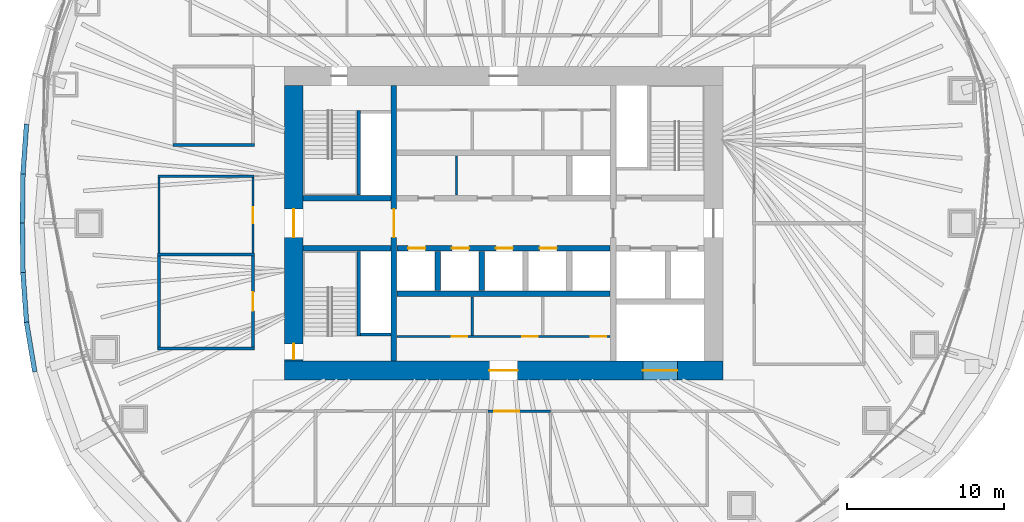
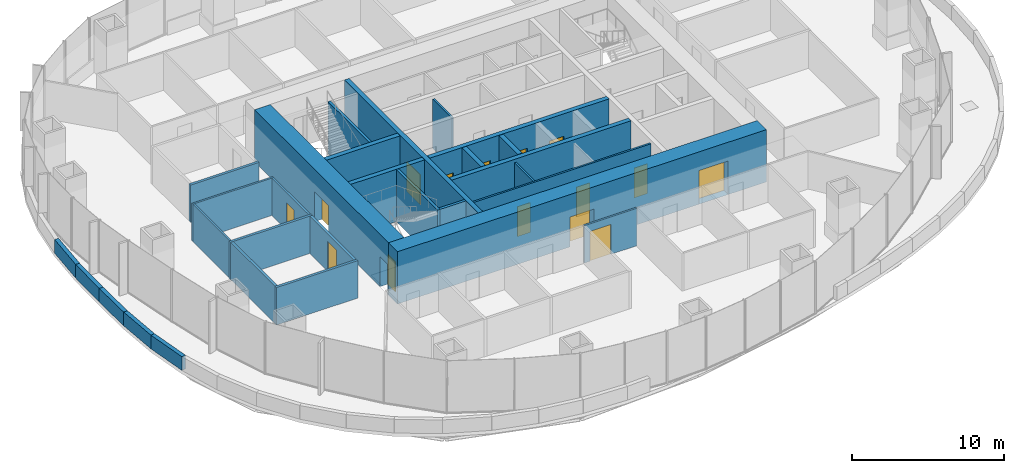
# One storey, part 9 of 20: 29 walls, 15 doors, 15 openings.
"""IFC4 building model written with IfcOpenShell, lengths in metres."""

from ifc_helpers import new_model, si_unit, direction, frame, frame_2d, origin, place, context, subcontext, project, spatial, rectangle, extrude, material, layer, layer_set, type_object, element, fill, save


model = new_model("IFC4")

# Units and contexts
model_context = context("Model", 3, precision=1e-05, world=origin(), true_north=direction((0.0, 1.0)))
body_context = subcontext(model_context, "Body", "Model", "MODEL_VIEW")
ifc_project = project(units=[si_unit("LENGTHUNIT", "METRE"), si_unit("AREAUNIT", "SQUARE_METRE"), si_unit("VOLUMEUNIT", "CUBIC_METRE"), si_unit("PLANEANGLEUNIT", "RADIAN"), si_unit("MASSUNIT", "GRAM", prefix="KILO")], contexts=[model_context])

# Site, building, storey
site_placement = place(None, origin())
site = spatial("IfcSite", under=ifc_project, at=site_placement, CompositionType="ELEMENT")
building_placement = place(site_placement, origin())
building = spatial("IfcBuilding", under=site, at=building_placement, Name="Ghaith Harvest Tower", CompositionType="ELEMENT")
storey_placement = place(building_placement, frame((0.0, 0.0, 105.0)))
storey = spatial("IfcBuildingStorey", under=building, at=storey_placement, Name="L21", CompositionType="ELEMENT", Elevation=105.0)

# Walls
ifc_material_1 = material(Name="Twin-stud gypsum board, acoustic", Category="gypsum")
ifc_layer_1 = layer(ifc_material_1, 0.199951171875)
ifc_layer_set_1 = layer_set([ifc_layer_1], Name="ACOUSTIC PARTITION 200")
wall_type_1 = type_object("IfcWallType", Name="ACOUSTIC PARTITION 200", PredefinedType="PARTITIONING", material=ifc_layer_set_1)
for number, where, z_axis, x_axis, name in (
    (1, (-15.89990234375, -8.0, 0.0), (0.0, 0.0, 1.0), (-1.0, 0.0, 0.0), "Partition L21 row W6 cross wall 1"),
    (2, (-15.89990234375, -2.0, 0.0), (0.0, 0.0, 1.0), (-1.0, 0.0, 0.0), "Partition L21 row W6 cross wall 2"),
):
    element("IfcWall", number, at=place(storey_placement, frame(where, z_axis=z_axis, x_axis=x_axis)), inside=storey, type_object=wall_type_1, Name=name, PredefinedType="PARTITIONING", context=body_context, shape_type="SweptSolid", body=[
        extrude(rectangle(XDim=6.2001953125, YDim=0.199951171875, at=frame_2d((3.10009765625, 0.0))), origin(), (0.0, 0.0, 1.0), 3.0),
    ])

# Wall, opening, door
wall_1_placement = place(storey_placement, frame((-16.0, -7.89990234375, 0.0), z_axis=(0.0, 0.0, 1.0), x_axis=(0.0, 1.0, 0.0)))
wall_1 = element("IfcWall", 3, at=wall_1_placement, inside=storey, type_object=wall_type_1, Name="Partition L21-15", PredefinedType="PARTITIONING", context=body_context, shape_type="SweptSolid", body=[
    extrude(rectangle(XDim=5.7998046875, YDim=0.199951171875, at=frame_2d((2.89990234375, 0.0))), origin(), (0.0, 0.0, 1.0), 3.0),
])
opening_1_placement = place(wall_1_placement, frame((2.300048828125, 0.0, 0.0)))
opening_1 = element("IfcOpeningElement", 4, at=opening_1_placement, cuts=wall_1, Name="Opening 21-041", PredefinedType="OPENING", context=body_context, shape_type="SweptSolid", body=[
    extrude(rectangle(XDim=1.199951171875, YDim=2.39990234375, at=frame_2d((0.60009765625, 1.199951171875))), frame((0.0, 0.10986328125, 0.0), z_axis=(0.0, -1.0, 0.0), x_axis=(1.0, 0.0, 0.0)), (0.0, 0.0, 1.0), 0.219970703125),
])
ifc_material_2 = material(Name="Timber door", Category="wood")
door_type_1 = type_object("IfcDoorType", Name="D11 GLAZED 1200x2400", OperationType="SINGLE_SWING_LEFT", PredefinedType="DOOR", material=ifc_material_2)
door_1_placement = place(opening_1_placement, origin())
door_1 = element("IfcDoor", 5, at=door_1_placement, inside=storey, type_object=door_type_1, Name="Meeting room door", OperationType="SINGLE_SWING_LEFT", OverallHeight=2.39990234375, OverallWidth=1.199951171875, PredefinedType="DOOR", context=body_context, shape_type="SweptSolid", body=[
    extrude(rectangle(XDim=1.199951171875, YDim=2.39990234375, at=frame_2d((0.60009765625, 1.199951171875))), frame((0.0, 0.02490234375, 0.0), z_axis=(0.0, -1.0, 0.0), x_axis=(1.0, 0.0, 0.0)), (0.0, 0.0, 1.0), 0.050048828125),
])
fill(opening_1, door_1)

# Walls
wall_2_placement = place(storey_placement, frame((-22.0, -7.89990234375, 0.0), z_axis=(0.0, 0.0, 1.0), x_axis=(0.0, 1.0, 0.0)))
element("IfcWall", 6, at=wall_2_placement, inside=storey, type_object=wall_type_1, Name="Partition L21-15", PredefinedType="PARTITIONING", context=body_context, shape_type="SweptSolid", body=[
    extrude(rectangle(XDim=5.7998046875, YDim=0.199951171875, at=frame_2d((2.89990234375, 0.0))), origin(), (0.0, 0.0, 1.0), 3.0),
])
wall_3_placement = place(storey_placement, frame((-15.89990234375, 5.0, 0.0), z_axis=(0.0, 0.0, 1.0), x_axis=(-1.0, 0.0, 0.0)))
element("IfcWall", 7, at=wall_3_placement, inside=storey, type_object=wall_type_1, Name="Partition L21 row W7 cross wall 1", PredefinedType="PARTITIONING", context=body_context, shape_type="SweptSolid", body=[
    extrude(rectangle(XDim=5.2001953125, YDim=0.199951171875, at=frame_2d((2.60009765625, 0.0))), origin(), (0.0, 0.0, 1.0), 3.0),
])

# Wall, openings, doors
ifc_material_3 = material(Name="Concrete blockwork, fair-faced", Category="masonry")
ifc_layer_2 = layer(ifc_material_3, 0.139892578125)
ifc_layer_set_2 = layer_set([ifc_layer_2], Name="CORE PARTITION 140")
wall_type_2 = type_object("IfcWallType", Name="CORE PARTITION 140", PredefinedType="PARTITIONING", material=ifc_layer_set_2)
wall_4_placement = place(storey_placement, frame((-6.800048828125, -7.22998046875, 0.0), z_axis=(0.0, 0.0, 1.0), x_axis=(1.0, 0.0, 0.0)))
wall_4 = element("IfcWall", 8, at=wall_4_placement, inside=storey, type_object=wall_type_2, Name="Core partition L21", PredefinedType="PARTITIONING", context=body_context, shape_type="SweptSolid", body=[
    extrude(rectangle(XDim=13.60009765625, YDim=0.139892578125, at=frame_2d((6.800048828125, 0.0))), origin(), (0.0, 0.0, 1.0), 3.949951171875),
])
opening_2_placement = place(wall_4_placement, frame((3.47998046875, 0.0, 0.0)))
opening_2 = element("IfcOpeningElement", 9, at=opening_2_placement, cuts=wall_4, Name="Opening 21-012", PredefinedType="OPENING", context=body_context, shape_type="SweptSolid", body=[
    extrude(rectangle(XDim=1.0, YDim=2.39990234375, at=frame_2d((0.5, 1.199951171875))), frame((0.0, 0.080078125, 0.0), z_axis=(0.0, -1.0, 0.0), x_axis=(1.0, 0.0, 0.0)), (0.0, 0.0, 1.0), 0.159912109375),
])
opening_3_placement = place(wall_4_placement, frame((7.97998046875, 0.0, 0.0)))
opening_3 = element("IfcOpeningElement", 10, at=opening_3_placement, cuts=wall_4, Name="Opening 21-013", PredefinedType="OPENING", context=body_context, shape_type="SweptSolid", body=[
    extrude(rectangle(XDim=1.0, YDim=2.39990234375, at=frame_2d((0.5, 1.199951171875))), frame((0.0, 0.080078125, 0.0), z_axis=(0.0, -1.0, 0.0), x_axis=(1.0, 0.0, 0.0)), (0.0, 0.0, 1.0), 0.159912109375),
])
opening_4_placement = place(wall_4_placement, frame((12.35009765625, 0.0, 0.0)))
opening_4 = element("IfcOpeningElement", 11, at=opening_4_placement, cuts=wall_4, Name="Opening 21-014", PredefinedType="OPENING", context=body_context, shape_type="SweptSolid", body=[
    extrude(rectangle(XDim=1.0, YDim=2.39990234375, at=frame_2d((0.5, 1.199951171875))), frame((0.0, 0.080078125, 0.0), z_axis=(0.0, -1.0, 0.0), x_axis=(1.0, 0.0, 0.0)), (0.0, 0.0, 1.0), 0.159912109375),
])
ifc_material_4 = material(Name="Steel fire door", Category="steel")
door_type_2 = type_object("IfcDoorType", Name="D3 FD90 1000x2400", OperationType="SINGLE_SWING_LEFT", PredefinedType="DOOR", material=ifc_material_4)
door_2_placement = place(opening_2_placement, origin())
door_2 = element("IfcDoor", 12, at=door_2_placement, inside=storey, type_object=door_type_2, Name="Electrical room door", OperationType="SINGLE_SWING_LEFT", OverallHeight=2.39990234375, OverallWidth=1.0, PredefinedType="DOOR", context=body_context, shape_type="SweptSolid", body=[
    extrude(rectangle(XDim=1.0, YDim=2.39990234375, at=frame_2d((0.5, 1.199951171875))), frame((0.0, 0.02490234375, 0.0), z_axis=(0.0, -1.0, 0.0), x_axis=(1.0, 0.0, 0.0)), (0.0, 0.0, 1.0), 0.050048828125),
])
fill(opening_2, door_2)
door_3_placement = place(opening_3_placement, origin())
door_3 = element("IfcDoor", 13, at=door_3_placement, inside=storey, type_object=door_type_2, Name="Communications equipment room door", OperationType="SINGLE_SWING_RIGHT", OverallHeight=2.39990234375, OverallWidth=1.0, PredefinedType="DOOR", context=body_context, shape_type="SweptSolid", body=[
    extrude(rectangle(XDim=1.0, YDim=2.39990234375, at=frame_2d((0.5, 1.199951171875))), frame((0.0, 0.02490234375, 0.0), z_axis=(0.0, -1.0, 0.0), x_axis=(1.0, 0.0, 0.0)), (0.0, 0.0, 1.0), 0.050048828125),
])
fill(opening_3, door_3)
door_4_placement = place(opening_4_placement, origin())
door_4 = element("IfcDoor", 14, at=door_4_placement, inside=storey, type_object=door_type_2, Name="Riser room door", OperationType="SINGLE_SWING_RIGHT", OverallHeight=2.39990234375, OverallWidth=1.0, PredefinedType="DOOR", context=body_context, shape_type="SweptSolid", body=[
    extrude(rectangle(XDim=1.0, YDim=2.39990234375, at=frame_2d((0.5, 1.199951171875))), frame((0.0, 0.02490234375, 0.0), z_axis=(0.0, -1.0, 0.0), x_axis=(1.0, 0.0, 0.0)), (0.0, 0.0, 1.0), 0.050048828125),
])
fill(opening_4, door_4)

# Walls
wall_5_placement = place(storey_placement, frame((-2.0, -4.699951171875, 0.0), z_axis=(0.0, 0.0, 1.0), x_axis=(0.0, -1.0, 0.0)))
element("IfcWall", 15, at=wall_5_placement, inside=storey, type_object=wall_type_2, Name="Core partition L21", PredefinedType="PARTITIONING", context=body_context, shape_type="SweptSolid", body=[
    extrude(rectangle(XDim=2.4599609375, YDim=0.139892578125, at=frame_2d((1.22998046875, 0.0))), origin(), (0.0, 0.0, 1.0), 3.949951171875),
])
wall_6_placement = place(storey_placement, frame((-3.0, 1.800048828125, 0.0), z_axis=(0.0, 0.0, 1.0), x_axis=(0.0, 1.0, 0.0)))
element("IfcWall", 16, at=wall_6_placement, inside=storey, type_object=wall_type_2, Name="Core partition L21", PredefinedType="PARTITIONING", context=body_context, shape_type="SweptSolid", body=[
    extrude(rectangle(XDim=2.5, YDim=0.139892578125, at=frame_2d((1.25, 0.0))), origin(), (0.0, 0.0, 1.0), 3.949951171875),
])

# Wall, openings, doors
ifc_material_5 = material(Name="Concrete C60/75", Category="concrete")
ifc_layer_3 = layer(ifc_material_5, 1.199951171875)
ifc_layer_set_3 = layer_set([ifc_layer_3], Name="CORE WALL CW1200 C60")
wall_type_3 = type_object("IfcWallType", Name="CORE WALL CW1200 C60", PredefinedType="SHEAR", material=ifc_layer_set_3)
wall_7_placement = place(storey_placement, frame((-14.0, -9.39990234375, 0.0), z_axis=(0.0, 0.0, 1.0), x_axis=(1.0, 0.0, 0.0)))
wall_7 = element("IfcWall", 17, at=wall_7_placement, inside=storey, type_object=wall_type_3, Name="Core wall S L21", PredefinedType="SHEAR", context=body_context, shape_type="SweptSolid", body=[
    extrude(rectangle(XDim=28.0, YDim=1.199951171875, at=frame_2d((14.0, 0.0))), origin(), (0.0, 0.0, 1.0), 4.199951171875),
])
opening_5_placement = place(wall_7_placement, frame((13.10009765625, 0.0, 0.0)))
opening_5 = element("IfcOpeningElement", 18, at=opening_5_placement, cuts=wall_7, Name="Opening 21-019", PredefinedType="OPENING", context=body_context, shape_type="SweptSolid", body=[
    extrude(rectangle(XDim=1.800048828125, YDim=2.39990234375, at=frame_2d((0.89990234375, 1.199951171875))), frame((0.0, 0.60986328125, 0.0), z_axis=(0.0, -1.0, 0.0), x_axis=(1.0, 0.0, 0.0)), (0.0, 0.0, 1.0), 1.219970703125),
])
opening_6_placement = place(wall_7_placement, frame((22.89990234375, 0.0, 0.0)))
opening_6 = element("IfcOpeningElement", 19, at=opening_6_placement, cuts=wall_7, Name="Opening 21-026", PredefinedType="OPENING", context=body_context, shape_type="SweptSolid", body=[
    extrude(rectangle(XDim=2.199951171875, YDim=2.699951171875, at=frame_2d((1.10009765625, 1.35009765625))), frame((0.0, 0.60986328125, 0.0), z_axis=(0.0, -1.0, 0.0), x_axis=(1.0, 0.0, 0.0)), (0.0, 0.0, 1.0), 1.219970703125),
])
ifc_material_6 = material(Name="Steel fire door", Category="steel")
door_type_3 = type_object("IfcDoorType", Name="D4 FD90 PAIR 1800x2400", OperationType="DOUBLE_DOOR_SINGLE_SWING", PredefinedType="DOOR", material=ifc_material_6)
door_5_placement = place(opening_5_placement, origin())
door_5 = element("IfcDoor", 20, at=door_5_placement, inside=storey, type_object=door_type_3, Name="Core service corridor doors", OperationType="DOUBLE_DOOR_SINGLE_SWING", OverallHeight=2.39990234375, OverallWidth=1.800048828125, PredefinedType="DOOR", context=body_context, shape_type="SweptSolid", body=[
    extrude(rectangle(XDim=1.800048828125, YDim=2.39990234375, at=frame_2d((0.89990234375, 1.199951171875))), frame((0.0, 0.02490234375, 0.0), z_axis=(0.0, -1.0, 0.0), x_axis=(1.0, 0.0, 0.0)), (0.0, 0.0, 1.0), 0.050048828125),
])
fill(opening_5, door_5)
ifc_material_7 = material(Name="Steel fire door", Category="steel")
door_type_4 = type_object("IfcDoorType", Name="LD3 LANDING 2200x2700", OperationType="DOUBLE_DOOR_SLIDING", PredefinedType="DOOR", material=ifc_material_7)
door_6_placement = place(opening_6_placement, origin())
door_6 = element("IfcDoor", 21, at=door_6_placement, inside=storey, type_object=door_type_4, Name="Landing door, goods lift GL1", OperationType="DOUBLE_DOOR_SLIDING", OverallHeight=2.699951171875, OverallWidth=2.199951171875, PredefinedType="DOOR", context=body_context, shape_type="SweptSolid", body=[
    extrude(rectangle(XDim=2.199951171875, YDim=2.699951171875, at=frame_2d((1.10009765625, 1.35009765625))), frame((0.0, 0.02490234375, 0.0), z_axis=(0.0, -1.0, 0.0), x_axis=(1.0, 0.0, 0.0)), (0.0, 0.0, 1.0), 0.050048828125),
])
fill(opening_6, door_6)

wall_8_placement = place(storey_placement, frame((-13.39990234375, 8.800048828125, 0.0), z_axis=(0.0, 0.0, 1.0), x_axis=(0.0, -1.0, 0.0)))
wall_8 = element("IfcWall", 22, at=wall_8_placement, inside=storey, type_object=wall_type_3, Name="Core wall W L21", PredefinedType="SHEAR", context=body_context, shape_type="SweptSolid", body=[
    extrude(rectangle(XDim=17.60009765625, YDim=1.199951171875, at=frame_2d((8.800048828125, 0.0))), origin(), (0.0, 0.0, 1.0), 4.199951171875),
])
opening_7_placement = place(wall_8_placement, frame((7.89990234375, 0.0, 0.0)))
opening_7 = element("IfcOpeningElement", 23, at=opening_7_placement, cuts=wall_8, Name="Opening 21-001", PredefinedType="OPENING", context=body_context, shape_type="SweptSolid", body=[
    extrude(rectangle(XDim=1.800048828125, YDim=2.39990234375, at=frame_2d((0.89990234375, 1.199951171875))), frame((0.0, 0.60986328125, 0.0), z_axis=(0.0, -1.0, 0.0), x_axis=(1.0, 0.0, 0.0)), (0.0, 0.0, 1.0), 1.219970703125),
])
opening_8_placement = place(wall_8_placement, frame((16.5, 0.0, 0.0)))
opening_8 = element("IfcOpeningElement", 24, at=opening_8_placement, cuts=wall_8, Name="Opening 21-006", PredefinedType="OPENING", context=body_context, shape_type="SweptSolid", body=[
    extrude(rectangle(XDim=1.0, YDim=2.39990234375, at=frame_2d((0.5, 1.199951171875))), frame((0.0, 0.60986328125, 0.0), z_axis=(0.0, -1.0, 0.0), x_axis=(1.0, 0.0, 0.0)), (0.0, 0.0, 1.0), 1.219970703125),
])
door_7_placement = place(opening_8_placement, origin())
door_7 = element("IfcDoor", 25, at=door_7_placement, inside=storey, type_object=door_type_2, Name="Stair ST3 door", OperationType="SINGLE_SWING_RIGHT", OverallHeight=2.39990234375, OverallWidth=1.0, PredefinedType="DOOR", context=body_context, shape_type="SweptSolid", body=[
    extrude(rectangle(XDim=1.0, YDim=2.39990234375, at=frame_2d((0.5, 1.199951171875))), frame((0.0, 0.02490234375, 0.0), z_axis=(0.0, -1.0, 0.0), x_axis=(1.0, 0.0, 0.0)), (0.0, 0.0, 1.0), 0.050048828125),
])
fill(opening_8, door_7)
door_8_placement = place(opening_7_placement, origin())
door_8 = element("IfcDoor", 26, at=door_8_placement, inside=storey, type_object=door_type_3, Name="West lobby doors", OperationType="DOUBLE_DOOR_SINGLE_SWING", OverallHeight=2.39990234375, OverallWidth=1.800048828125, PredefinedType="DOOR", context=body_context, shape_type="SweptSolid", body=[
    extrude(rectangle(XDim=1.800048828125, YDim=2.39990234375, at=frame_2d((0.89990234375, 1.199951171875))), frame((0.0, 0.02490234375, 0.0), z_axis=(0.0, -1.0, 0.0), x_axis=(1.0, 0.0, 0.0)), (0.0, 0.0, 1.0), 0.050048828125),
])
fill(opening_7, door_8)

# Walls
ifc_material_8 = material(Name="Concrete C40/50", Category="concrete")
ifc_layer_4 = layer(ifc_material_8, 0.300048828125)
ifc_layer_set_4 = layer_set([ifc_layer_4], Name="PARAPET 300")
wall_type_4 = type_object("IfcWallType", Name="PARAPET 300", PredefinedType="PARAPET", material=ifc_layer_set_4)
wall_9_placement = place(storey_placement, frame((-30.4599609375, 6.320556640625, 0.0), z_axis=(0.0, 0.0, 1.0), x_axis=(-0.071667375602, -0.997428587556, 0.0)))
element("IfcWall", 27, at=wall_9_placement, inside=storey, type_object=wall_type_4, Name="Parapet 10.2 L21", PredefinedType="PARAPET", context=body_context, shape_type="SweptSolid", body=[
    extrude(rectangle(XDim=3.17822265625, YDim=0.300048828125, at=frame_2d((1.589111328125, 0.0))), origin(), (0.0, 0.0, 1.0), 1.10009765625),
])
for number, where, z_axis, x_axis, name in (
    (28, (-30.687744140625, 3.150390625, 0.0), (0.0, 0.0, 1.0), (-0.011855955247, -0.999929715693, 0.0), "Parapet 10.3 L21"),
    (29, (-30.72509765625, 0.0, 0.0), (0.0, 0.0, 1.0), (0.011855955247, -0.999929715693, 0.0), "Parapet 11.1 L21"),
):
    element("IfcWall", number, at=place(storey_placement, frame(where, z_axis=z_axis, x_axis=x_axis)), inside=storey, type_object=wall_type_4, Name=name, PredefinedType="PARAPET", context=body_context, shape_type="SweptSolid", body=[
        extrude(rectangle(XDim=3.150634765625, YDim=0.300048828125, at=frame_2d((1.5751953125, 0.0))), origin(), (0.0, 0.0, 1.0), 1.10009765625),
    ])
wall_10_placement = place(storey_placement, frame((-30.687744140625, -3.150390625, 0.0), z_axis=(0.0, 0.0, 1.0), x_axis=(0.071667375602, -0.997428587556, 0.0)))
element("IfcWall", 30, at=wall_10_placement, inside=storey, type_object=wall_type_4, Name="Parapet 11.2 L21", PredefinedType="PARAPET", context=body_context, shape_type="SweptSolid", body=[
    extrude(rectangle(XDim=3.17822265625, YDim=0.300048828125, at=frame_2d((1.589111328125, 0.0))), origin(), (0.0, 0.0, 1.0), 1.10009765625),
])
wall_11_placement = place(storey_placement, frame((-30.4599609375, -6.320556640625, 0.0), z_axis=(0.0, 0.0, 1.0), x_axis=(0.164867792952, -0.986315675049, 0.0)))
element("IfcWall", 31, at=wall_11_placement, inside=storey, type_object=wall_type_4, Name="Parapet 11.3 L21", PredefinedType="PARAPET", context=body_context, shape_type="SweptSolid", body=[
    extrude(rectangle(XDim=3.208984375, YDim=0.300048828125, at=frame_2d((1.6044921875, 0.0))), origin(), (0.0, 0.0, 1.0), 1.10009765625),
])
ifc_material_9 = material(Name="Gypsum board on steel studs", Category="steel")
ifc_layer_5 = layer(ifc_material_9, 0.14990234375)
ifc_layer_set_5 = layer_set([ifc_layer_5], Name="PARTITION 150")
wall_type_5 = type_object("IfcWallType", Name="PARTITION 150", PredefinedType="PARTITIONING", material=ifc_layer_set_5)
wall_12_placement = place(storey_placement, frame((-15.925048828125, 3.0, 0.0), z_axis=(0.0, 0.0, 1.0), x_axis=(-1.0, 0.0, 0.0)))
element("IfcWall", 32, at=wall_12_placement, inside=storey, type_object=wall_type_5, Name="Partition L21 row W6 cross wall 3", PredefinedType="PARTITIONING", context=body_context, shape_type="SweptSolid", body=[
    extrude(rectangle(XDim=6.14990234375, YDim=0.14990234375, at=frame_2d((3.074951171875, 0.0))), origin(), (0.0, 0.0, 1.0), 3.0),
])

# Wall, opening, door
wall_13_placement = place(storey_placement, frame((-16.0, -1.89990234375, 0.0), z_axis=(0.0, 0.0, 1.0), x_axis=(0.0, 1.0, 0.0)))
wall_13 = element("IfcWall", 33, at=wall_13_placement, inside=storey, type_object=wall_type_5, Name="Partition L21-16", PredefinedType="PARTITIONING", context=body_context, shape_type="SweptSolid", body=[
    extrude(rectangle(XDim=4.824951171875, YDim=0.14990234375, at=frame_2d((2.41259765625, 0.0))), origin(), (0.0, 0.0, 1.0), 3.0),
])
opening_9_placement = place(wall_13_placement, frame((1.91259765625, 0.0, 0.0)))
opening_9 = element("IfcOpeningElement", 34, at=opening_9_placement, cuts=wall_13, Name="Opening 21-042", PredefinedType="OPENING", context=body_context, shape_type="SweptSolid", body=[
    extrude(rectangle(XDim=1.0, YDim=2.199951171875, at=frame_2d((0.5, 1.10009765625))), frame((0.0, 0.0849609375, 0.0), z_axis=(0.0, -1.0, 0.0), x_axis=(1.0, 0.0, 0.0)), (0.0, 0.0, 1.0), 0.169921875),
])
ifc_material_10 = material(Name="Timber door", Category="wood")
door_type_5 = type_object("IfcDoorType", Name="D1 SINGLE 1000x2200", OperationType="SINGLE_SWING_LEFT", PredefinedType="DOOR", material=ifc_material_10)
door_9_placement = place(opening_9_placement, origin())
door_9 = element("IfcDoor", 35, at=door_9_placement, inside=storey, type_object=door_type_5, Name="Print room door", OperationType="SINGLE_SWING_LEFT", OverallHeight=2.199951171875, OverallWidth=1.0, PredefinedType="DOOR", context=body_context, shape_type="SweptSolid", body=[
    extrude(rectangle(XDim=1.0, YDim=2.199951171875, at=frame_2d((0.5, 1.10009765625))), frame((0.0, 0.02490234375, 0.0), z_axis=(0.0, -1.0, 0.0), x_axis=(1.0, 0.0, 0.0)), (0.0, 0.0, 1.0), 0.050048828125),
])
fill(opening_9, door_9)

# Wall
wall_14_placement = place(storey_placement, frame((-22.0, -1.89990234375, 0.0), z_axis=(0.0, 0.0, 1.0), x_axis=(0.0, 1.0, 0.0)))
element("IfcWall", 36, at=wall_14_placement, inside=storey, type_object=wall_type_5, Name="Partition L21-16", PredefinedType="PARTITIONING", context=body_context, shape_type="SweptSolid", body=[
    extrude(rectangle(XDim=4.824951171875, YDim=0.14990234375, at=frame_2d((2.41259765625, 0.0))), origin(), (0.0, 0.0, 1.0), 3.0),
])

# Wall, opening, door
wall_15_placement = place(storey_placement, frame((-1.0, -12.0, 0.0), z_axis=(0.0, 0.0, 1.0), x_axis=(1.0, 0.0, 0.0)))
wall_15 = element("IfcWall", 37, at=wall_15_placement, inside=storey, type_object=wall_type_5, Name="Partition L21 zone enclosure", PredefinedType="PARTITIONING", context=body_context, shape_type="SweptSolid", body=[
    extrude(rectangle(XDim=4.0, YDim=0.14990234375, at=frame_2d((2.0, 0.0))), origin(), (0.0, 0.0, 1.0), 3.0),
])
opening_10_placement = place(wall_15_placement, frame((0.39990234375, 0.0, 0.0)))
opening_10 = element("IfcOpeningElement", 38, at=opening_10_placement, cuts=wall_15, Name="Opening 21-044", PredefinedType="OPENING", context=body_context, shape_type="SweptSolid", body=[
    extrude(rectangle(XDim=1.60009765625, YDim=2.39990234375, at=frame_2d((0.800048828125, 1.199951171875))), frame((0.0, 0.0849609375, 0.0), z_axis=(0.0, -1.0, 0.0), x_axis=(1.0, 0.0, 0.0)), (0.0, 0.0, 1.0), 0.169921875),
])
ifc_material_11 = material(Name="Timber door", Category="wood")
door_type_6 = type_object("IfcDoorType", Name="D2 PAIR 1600x2400", OperationType="DOUBLE_DOOR_SINGLE_SWING", PredefinedType="DOOR", material=ifc_material_11)
door_10_placement = place(opening_10_placement, origin())
door_10 = element("IfcDoor", 39, at=door_10_placement, inside=storey, type_object=door_type_6, Name="Executive workplace south door", OperationType="DOUBLE_DOOR_SINGLE_SWING", OverallHeight=2.39990234375, OverallWidth=1.60009765625, PredefinedType="DOOR", context=body_context, shape_type="SweptSolid", body=[
    extrude(rectangle(XDim=1.60009765625, YDim=2.39990234375, at=frame_2d((0.800048828125, 1.199951171875))), frame((0.0, 0.02490234375, 0.0), z_axis=(0.0, -1.0, 0.0), x_axis=(1.0, 0.0, 0.0)), (0.0, 0.0, 1.0), 0.050048828125),
])
fill(opening_10, door_10)

ifc_material_12 = material(Name="Concrete C60/75", Category="concrete")
ifc_layer_6 = layer(ifc_material_12, 0.35009765625)
ifc_layer_set_6 = layer_set([ifc_layer_6], Name="SHAFT WALL 350")
wall_type_6 = type_object("IfcWallType", Name="SHAFT WALL 350", PredefinedType="SHEAR", material=ifc_layer_set_6)
wall_16_placement = place(storey_placement, frame((-7.0, -8.800048828125, 0.0), z_axis=(0.0, 0.0, 1.0), x_axis=(0.0, 1.0, 0.0)))
wall_16 = element("IfcWall", 40, at=wall_16_placement, inside=storey, type_object=wall_type_6, Name="Shaft wall W7W L21", PredefinedType="SHEAR", context=body_context, shape_type="SweptSolid", body=[
    extrude(rectangle(XDim=17.60009765625, YDim=0.35009765625, at=frame_2d((8.800048828125, 0.0))), origin(), (0.0, 0.0, 1.0), 4.199951171875),
])
opening_11_placement = place(wall_16_placement, frame((7.89990234375, 0.0, 0.0)))
opening_11 = element("IfcOpeningElement", 41, at=opening_11_placement, cuts=wall_16, Name="Opening 21-003", PredefinedType="OPENING", context=body_context, shape_type="SweptSolid", body=[
    extrude(rectangle(XDim=1.800048828125, YDim=2.39990234375, at=frame_2d((0.89990234375, 1.199951171875))), frame((0.0, 0.18505859375, 0.0), z_axis=(0.0, -1.0, 0.0), x_axis=(1.0, 0.0, 0.0)), (0.0, 0.0, 1.0), 0.3701171875),
])
door_11_placement = place(opening_11_placement, origin())
door_11 = element("IfcDoor", 42, at=door_11_placement, inside=storey, type_object=door_type_3, Name="Lift lobby doors, west", OperationType="DOUBLE_DOOR_SINGLE_SWING", OverallHeight=2.39990234375, OverallWidth=1.800048828125, PredefinedType="DOOR", context=body_context, shape_type="SweptSolid", body=[
    extrude(rectangle(XDim=1.800048828125, YDim=2.39990234375, at=frame_2d((0.89990234375, 1.199951171875))), frame((0.0, 0.02490234375, 0.0), z_axis=(0.0, -1.0, 0.0), x_axis=(1.0, 0.0, 0.0)), (0.0, 0.0, 1.0), 0.050048828125),
])
fill(opening_11, door_11)

# Wall, openings, doors
wall_17_placement = place(storey_placement, frame((-6.800048828125, -1.60009765625, 0.0), z_axis=(0.0, 0.0, 1.0), x_axis=(1.0, 0.0, 0.0)))
wall_17 = element("IfcWall", 43, at=wall_17_placement, inside=storey, type_object=wall_type_6, Name="Shaft wall LS L21", PredefinedType="SHEAR", context=body_context, shape_type="SweptSolid", body=[
    extrude(rectangle(XDim=13.60009765625, YDim=0.35009765625, at=frame_2d((6.800048828125, 0.0))), origin(), (0.0, 0.0, 1.0), 4.199951171875),
])
opening_12_placement = place(wall_17_placement, frame((0.699951171875, 0.0, 0.0)))
opening_12 = element("IfcOpeningElement", 44, at=opening_12_placement, cuts=wall_17, Name="Opening 21-020", PredefinedType="OPENING", context=body_context, shape_type="SweptSolid", body=[
    extrude(rectangle(XDim=1.10009765625, YDim=2.39990234375, at=frame_2d((0.550048828125, 1.199951171875))), frame((0.0, 0.18505859375, 0.0), z_axis=(0.0, -1.0, 0.0), x_axis=(1.0, 0.0, 0.0)), (0.0, 0.0, 1.0), 0.3701171875),
])
opening_13_placement = place(wall_17_placement, frame((3.5, 0.0, 0.0)))
opening_13 = element("IfcOpeningElement", 45, at=opening_13_placement, cuts=wall_17, Name="Opening 21-021", PredefinedType="OPENING", context=body_context, shape_type="SweptSolid", body=[
    extrude(rectangle(XDim=1.10009765625, YDim=2.39990234375, at=frame_2d((0.550048828125, 1.199951171875))), frame((0.0, 0.18505859375, 0.0), z_axis=(0.0, -1.0, 0.0), x_axis=(1.0, 0.0, 0.0)), (0.0, 0.0, 1.0), 0.3701171875),
])
opening_14_placement = place(wall_17_placement, frame((6.300048828125, 0.0, 0.0)))
opening_14 = element("IfcOpeningElement", 46, at=opening_14_placement, cuts=wall_17, Name="Opening 21-022", PredefinedType="OPENING", context=body_context, shape_type="SweptSolid", body=[
    extrude(rectangle(XDim=1.10009765625, YDim=2.39990234375, at=frame_2d((0.550048828125, 1.199951171875))), frame((0.0, 0.18505859375, 0.0), z_axis=(0.0, -1.0, 0.0), x_axis=(1.0, 0.0, 0.0)), (0.0, 0.0, 1.0), 0.3701171875),
])
opening_15_placement = place(wall_17_placement, frame((9.10009765625, 0.0, 0.0)))
opening_15 = element("IfcOpeningElement", 47, at=opening_15_placement, cuts=wall_17, Name="Opening 21-023", PredefinedType="OPENING", context=body_context, shape_type="SweptSolid", body=[
    extrude(rectangle(XDim=1.10009765625, YDim=2.39990234375, at=frame_2d((0.550048828125, 1.199951171875))), frame((0.0, 0.18505859375, 0.0), z_axis=(0.0, -1.0, 0.0), x_axis=(1.0, 0.0, 0.0)), (0.0, 0.0, 1.0), 0.3701171875),
])
ifc_material_13 = material(Name="Steel fire door", Category="steel")
door_type_7 = type_object("IfcDoorType", Name="LD1 LANDING 1100x2400", OperationType="DOUBLE_DOOR_SLIDING", PredefinedType="DOOR", material=ifc_material_13)
door_12_placement = place(opening_12_placement, origin())
door_12 = element("IfcDoor", 48, at=door_12_placement, inside=storey, type_object=door_type_7, Name="Landing door, lift LR1", OperationType="DOUBLE_DOOR_SLIDING", OverallHeight=2.39990234375, OverallWidth=1.10009765625, PredefinedType="DOOR", context=body_context, shape_type="SweptSolid", body=[
    extrude(rectangle(XDim=1.10009765625, YDim=2.39990234375, at=frame_2d((0.550048828125, 1.199951171875))), frame((0.0, 0.02490234375, 0.0), z_axis=(0.0, -1.0, 0.0), x_axis=(1.0, 0.0, 0.0)), (0.0, 0.0, 1.0), 0.050048828125),
])
fill(opening_12, door_12)
door_13_placement = place(opening_13_placement, origin())
door_13 = element("IfcDoor", 49, at=door_13_placement, inside=storey, type_object=door_type_7, Name="Landing door, lift LR2", OperationType="DOUBLE_DOOR_SLIDING", OverallHeight=2.39990234375, OverallWidth=1.10009765625, PredefinedType="DOOR", context=body_context, shape_type="SweptSolid", body=[
    extrude(rectangle(XDim=1.10009765625, YDim=2.39990234375, at=frame_2d((0.550048828125, 1.199951171875))), frame((0.0, 0.02490234375, 0.0), z_axis=(0.0, -1.0, 0.0), x_axis=(1.0, 0.0, 0.0)), (0.0, 0.0, 1.0), 0.050048828125),
])
fill(opening_13, door_13)
door_14_placement = place(opening_14_placement, origin())
door_14 = element("IfcDoor", 50, at=door_14_placement, inside=storey, type_object=door_type_7, Name="Landing door, lift LR3", OperationType="DOUBLE_DOOR_SLIDING", OverallHeight=2.39990234375, OverallWidth=1.10009765625, PredefinedType="DOOR", context=body_context, shape_type="SweptSolid", body=[
    extrude(rectangle(XDim=1.10009765625, YDim=2.39990234375, at=frame_2d((0.550048828125, 1.199951171875))), frame((0.0, 0.02490234375, 0.0), z_axis=(0.0, -1.0, 0.0), x_axis=(1.0, 0.0, 0.0)), (0.0, 0.0, 1.0), 0.050048828125),
])
fill(opening_14, door_14)
door_15_placement = place(opening_15_placement, origin())
door_15 = element("IfcDoor", 51, at=door_15_placement, inside=storey, type_object=door_type_7, Name="Landing door, lift LR4", OperationType="DOUBLE_DOOR_SLIDING", OverallHeight=2.39990234375, OverallWidth=1.10009765625, PredefinedType="DOOR", context=body_context, shape_type="SweptSolid", body=[
    extrude(rectangle(XDim=1.10009765625, YDim=2.39990234375, at=frame_2d((0.550048828125, 1.199951171875))), frame((0.0, 0.02490234375, 0.0), z_axis=(0.0, -1.0, 0.0), x_axis=(1.0, 0.0, 0.0)), (0.0, 0.0, 1.0), 0.050048828125),
])
fill(opening_15, door_15)

# Walls
wall_18_placement = place(storey_placement, frame((-6.800048828125, -4.5, 0.0), z_axis=(0.0, 0.0, 1.0), x_axis=(1.0, 0.0, 0.0)))
element("IfcWall", 52, at=wall_18_placement, inside=storey, type_object=wall_type_6, Name="Shaft wall BS L21", PredefinedType="SHEAR", context=body_context, shape_type="SweptSolid", body=[
    extrude(rectangle(XDim=13.60009765625, YDim=0.35009765625, at=frame_2d((6.800048828125, 0.0))), origin(), (0.0, 0.0, 1.0), 4.199951171875),
])
for number, where, z_axis, x_axis, name in (
    (53, (-12.800048828125, 1.60009765625, 0.0), (0.0, 0.0, 1.0), (1.0, 0.0, 0.0), "Shaft wall WN L21"),
    (54, (-12.800048828125, -1.60009765625, 0.0), (0.0, 0.0, 1.0), (1.0, 0.0, 0.0), "Shaft wall WS L21"),
):
    element("IfcWall", number, at=place(storey_placement, frame(where, z_axis=z_axis, x_axis=x_axis)), inside=storey, type_object=wall_type_6, Name=name, PredefinedType="SHEAR", context=body_context, shape_type="SweptSolid", body=[
        extrude(rectangle(XDim=5.60009765625, YDim=0.35009765625, at=frame_2d((2.800048828125, 0.0))), origin(), (0.0, 0.0, 1.0), 4.199951171875),
    ])
for number, where, z_axis, x_axis, name in (
    (55, (-4.199951171875, -4.300048828125, 0.0), (0.0, 0.0, 1.0), (0.0, 1.0, 0.0), "Shaft wall DS1 L21"),
    (56, (-1.39990234375, -4.300048828125, 0.0), (0.0, 0.0, 1.0), (0.0, 1.0, 0.0), "Shaft wall DS2 L21"),
):
    element("IfcWall", number, at=place(storey_placement, frame(where, z_axis=z_axis, x_axis=x_axis)), inside=storey, type_object=wall_type_6, Name=name, PredefinedType="SHEAR", context=body_context, shape_type="SweptSolid", body=[
        extrude(rectangle(XDim=2.5, YDim=0.35009765625, at=frame_2d((1.25, 0.0))), origin(), (0.0, 0.0, 1.0), 4.199951171875),
    ])
ifc_material_14 = material(Name="Concrete C40/50", Category="concrete")
ifc_layer_7 = layer(ifc_material_14, 0.199951171875)
ifc_layer_set_7 = layer_set([ifc_layer_7], Name="STAIR SPINE WALL RC200")
wall_type_7 = type_object("IfcWallType", Name="STAIR SPINE WALL RC200", PredefinedType="SOLIDWALL", material=ifc_layer_set_7)
for number, where, z_axis, x_axis, name in (
    (57, (-9.25, 7.199951171875, 0.0), (0.0, 0.0, 1.0), (0.0, -1.0, 0.0), "Stair ST1 spine wall L21"),
    (58, (-9.25, -7.199951171875, 0.0), (0.0, 0.0, 1.0), (0.0, 1.0, 0.0), "Stair ST3 spine wall L21"),
):
    element("IfcWall", number, at=place(storey_placement, frame(where, z_axis=z_axis, x_axis=x_axis)), inside=storey, type_object=wall_type_7, Name=name, PredefinedType="SOLIDWALL", context=body_context, shape_type="SweptSolid", body=[
        extrude(rectangle(XDim=5.39990234375, YDim=0.199951171875, at=frame_2d((2.699951171875, 0.0))), origin(), (0.0, 0.0, 1.0), 4.199951171875),
    ])
wall_19_placement = place(storey_placement, frame((-9.14990234375, -7.10009765625, 0.0), z_axis=(0.0, 0.0, 1.0), x_axis=(1.0, 0.0, 0.0)))
element("IfcWall", 59, at=wall_19_placement, inside=storey, type_object=wall_type_7, Name="Stair ST3 spine wall return L21", PredefinedType="SOLIDWALL", context=body_context, shape_type="SweptSolid", body=[
    extrude(rectangle(XDim=1.949951171875, YDim=0.199951171875, at=frame_2d((0.97509765625, 0.0))), origin(), (0.0, 0.0, 1.0), 4.199951171875),
])

save(model, "model.ifc")
